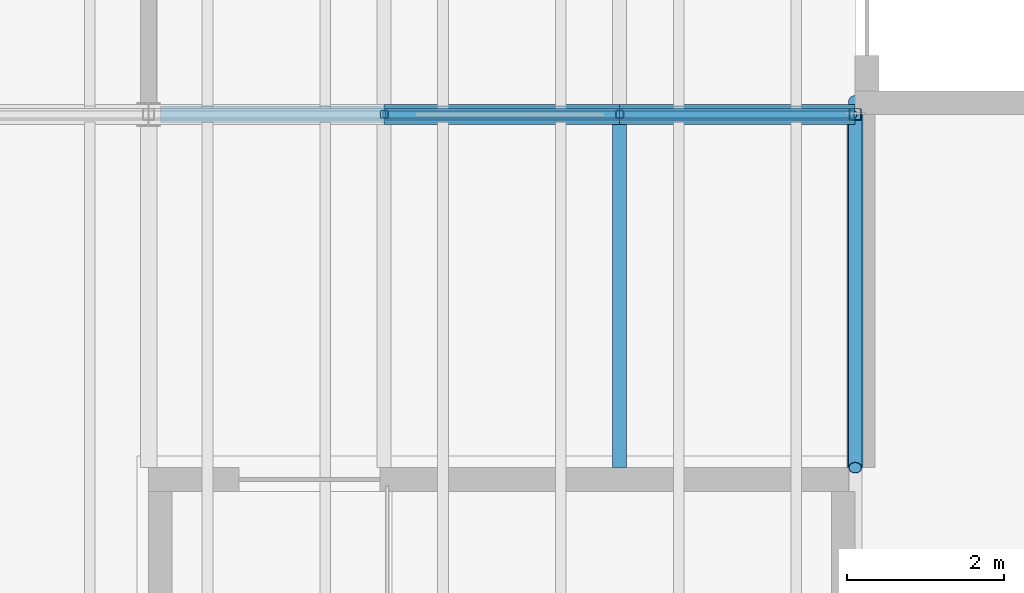
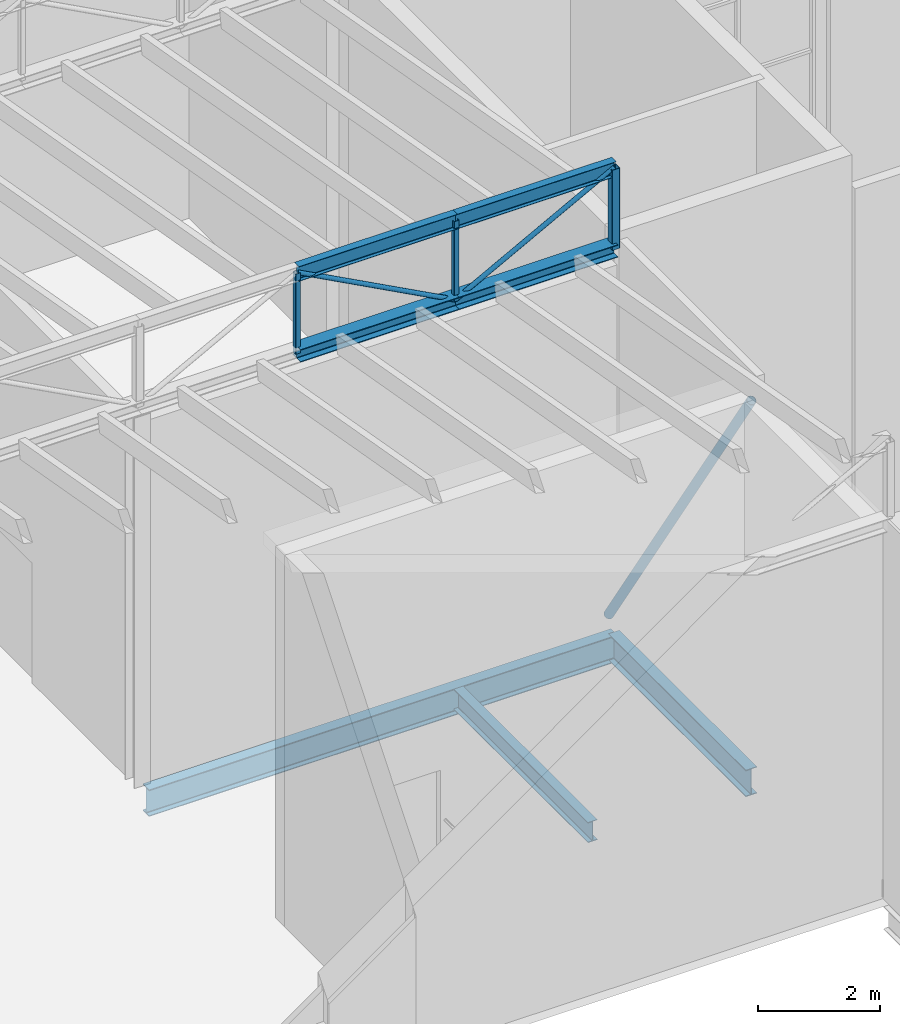
# One storey, part 52 of 90: 10 members, 3 beams.
"""IFC4 building model written with IfcOpenShell, lengths in metres."""

from ifc_helpers import new_model, si_unit, direction, frame, origin, origin_2d, place, context, subcontext, project, spatial, hollow_rectangle, hollow_circle, i_section, extrude, material, material_profile, profile_set, type_object, element, save


model = new_model("IFC4")

# Units and contexts
model_context = context("Model", 3, precision=1e-05, world=origin(), true_north=direction((0.0, 1.0)))
body_context = subcontext(model_context, "Body", "Model", "MODEL_VIEW")
ifc_project = project(units=[si_unit("LENGTHUNIT", "METRE"), si_unit("AREAUNIT", "SQUARE_METRE"), si_unit("VOLUMEUNIT", "CUBIC_METRE"), si_unit("PLANEANGLEUNIT", "RADIAN"), si_unit("MASSUNIT", "GRAM", prefix="KILO")], contexts=[model_context])

# Site, building, storey
site_placement = place(None, origin())
site = spatial("IfcSite", under=ifc_project, at=site_placement, CompositionType="ELEMENT")
building_placement = place(site_placement, origin())
building = spatial("IfcBuilding", under=site, at=building_placement, Name="Halyard Row Museum", CompositionType="ELEMENT")
storey_placement = place(building_placement, frame((0.0, 0.0, 13.39990234375)))
storey = spatial("IfcBuildingStorey", under=building, at=storey_placement, Name="L03", CompositionType="ELEMENT", Elevation=13.39990234375)

# Member
ifc_material_1 = material(Name="Steel Grade C350L0", Category="steel")
ifc_material_profile_1 = material_profile(ifc_material_1, hollow_circle(Radius=0.084228515625, WallThickness=0.007080078125, at=origin_2d()), Name="168.3x7.1CHS")
ifc_profile_set_1 = profile_set([ifc_material_profile_1], Name="Steel Grade C350L0")
member_type_1 = type_object("IfcMemberType", Name="Brace 168.3x7.1CHS", PredefinedType="BRACE", material=ifc_profile_set_1)
member_1_placement = place(storey_placement, frame((72.0, 27.169921875, 0.084228515625), z_axis=(0.0, -0.549136067158, 0.83573295959), x_axis=(1.0, 0.0, 0.0)))
element("IfcMember", 1, at=member_1_placement, inside=storey, type_object=member_type_1, Name="Brace L03 X72 18-27 B", PredefinedType="BRACE", context=body_context, shape_type="SweptSolid", body=[
    extrude(hollow_circle(Radius=0.084228515625, WallThickness=0.007080078125, at=origin_2d()), origin(), (0.0, 0.0, 1.0), 8.504150390625),
])

# Beams
ifc_material_2 = material(Name="Steel Grade 300", Category="steel")
ifc_material_profile_2 = material_profile(ifc_material_2, i_section(OverallWidth=0.208984375, OverallDepth=0.532958984375, WebThickness=0.01025390625, FlangeThickness=0.015625, FilletRadius=0.013916015625, at=origin_2d()), Name="530UB92.4")
ifc_profile_set_2 = profile_set([ifc_material_profile_2], Name="Steel Grade 300")
beam_type_1 = type_object("IfcBeamType", Name="Girder beam 530UB92.4", PredefinedType="BEAM", material=ifc_profile_set_2)
beam_1_placement = place(storey_placement, frame((63.152587890625, 27.0, -0.431396484375), z_axis=(1.0, 0.0, 0.0), x_axis=(0.0, 1.0, 0.0)))
element("IfcBeam", 2, at=beam_1_placement, inside=storey, type_object=beam_type_1, Name="Beam L03-022", PredefinedType="BEAM", context=body_context, shape_type="SweptSolid", body=[
    extrude(i_section(OverallWidth=0.208984375, OverallDepth=0.532958984375, WebThickness=0.01025390625, FlangeThickness=0.015625, FilletRadius=0.013916015625, at=origin_2d()), origin(), (0.0, 0.0, 1.0), 8.847412109375),
])
beam_2_placement = place(storey_placement, frame((72.0, 22.5, -0.431396484375), z_axis=(0.0, 1.0, 0.0), x_axis=(-1.0, 0.0, 0.0)))
element("IfcBeam", 3, at=beam_2_placement, inside=storey, type_object=beam_type_1, Name="Beam L03-053", PredefinedType="BEAM", context=body_context, shape_type="SweptSolid", body=[
    extrude(i_section(OverallWidth=0.208984375, OverallDepth=0.532958984375, WebThickness=0.01025390625, FlangeThickness=0.015625, FilletRadius=0.013916015625, at=origin_2d()), origin(), (0.0, 0.0, 1.0), 4.5),
])
ifc_material_3 = material(Name="Steel Grade 300", Category="steel")
ifc_material_profile_3 = material_profile(ifc_material_3, i_section(OverallWidth=0.177978515625, OverallDepth=0.406494140625, WebThickness=0.0078125, FlangeThickness=0.0126953125, FilletRadius=0.011474609375, at=origin_2d()), Name="410UB59.7")
ifc_profile_set_3 = profile_set([ifc_material_profile_3], Name="Steel Grade 300")
beam_type_2 = type_object("IfcBeamType", Name="Secondary beam 410UB59.7", PredefinedType="BEAM", material=ifc_profile_set_3)
beam_3_placement = place(storey_placement, frame((69.0, 22.5, -0.3681640625), z_axis=(0.0, 1.0, 0.0), x_axis=(-1.0, 0.0, 0.0)))
element("IfcBeam", 4, at=beam_3_placement, inside=storey, type_object=beam_type_2, Name="Beam L03-098", PredefinedType="BEAM", context=body_context, shape_type="SweptSolid", body=[
    extrude(i_section(OverallWidth=0.177978515625, OverallDepth=0.406494140625, WebThickness=0.0078125, FlangeThickness=0.0126953125, FilletRadius=0.011474609375, at=origin_2d()), origin(), (0.0, 0.0, 1.0), 4.3955078125),
])

# Members
ifc_material_4 = material(Name="Steel Grade 300", Category="steel")
ifc_material_profile_4 = material_profile(ifc_material_4, i_section(OverallWidth=0.25390625, OverallDepth=0.25390625, WebThickness=0.008544921875, FlangeThickness=0.01416015625, FilletRadius=0.013916015625, at=origin_2d()), Name="250UC72.9")
ifc_profile_set_4 = profile_set([ifc_material_profile_4], Name="Steel Grade 300")
member_type_2 = type_object("IfcMemberType", Name="Valley truss bottom chord 250UC72.9", PredefinedType="CHORD", material=ifc_profile_set_4)
for number, where, z_axis, x_axis, name in (
    (5, (66.0, 27.0, 7.527099609375), (1.0, 0.0, 0.0), (0.0, 1.0, 0.0), "V1-VT2 bottom chord 5.2"),
    (6, (69.0, 27.0, 7.527099609375), (1.0, 0.0, 0.0), (0.0, 1.0, 0.0), "V1-VT2 bottom chord 5.3"),
):
    element("IfcMember", number, at=place(storey_placement, frame(where, z_axis=z_axis, x_axis=x_axis)), inside=storey, type_object=member_type_2, Name=name, PredefinedType="CHORD", context=body_context, shape_type="SweptSolid", body=[
        extrude(i_section(OverallWidth=0.25390625, OverallDepth=0.25390625, WebThickness=0.008544921875, FlangeThickness=0.01416015625, FilletRadius=0.013916015625, at=origin_2d()), origin(), (0.0, 0.0, 1.0), 3.0),
    ])
ifc_material_5 = material(Name="Steel Grade C250L0", Category="steel")
ifc_material_profile_5 = material_profile(ifc_material_5, hollow_circle(Radius=0.04443359375, WallThickness=0.0048828125, at=origin_2d()), Name="88.9x5.0CHS")
ifc_profile_set_5 = profile_set([ifc_material_profile_5], Name="Steel Grade C250L0")
member_type_3 = type_object("IfcMemberType", Name="Valley truss diagonal 88.9x5.0CHS", PredefinedType="BRACE", material=ifc_profile_set_5)
for number, where, z_axis, x_axis, name in (
    (7, (66.0, 27.0, 9.131103515625), (0.881863759518, 0.0, -0.471504305016), (0.0, 1.0, 0.0), "V1-VT2 diagonal 5.2"),
    (8, (69.0, 27.0, 7.527099609375), (0.881863759518, 0.0, 0.471504305016), (0.0, 1.0, 0.0), "V1-VT2 diagonal 5.3"),
):
    element("IfcMember", number, at=place(storey_placement, frame(where, z_axis=z_axis, x_axis=x_axis)), inside=storey, type_object=member_type_3, Name=name, PredefinedType="BRACE", context=body_context, shape_type="SweptSolid", body=[
        extrude(hollow_circle(Radius=0.04443359375, WallThickness=0.0048828125, at=origin_2d()), origin(), (0.0, 0.0, 1.0), 3.40185546875),
    ])
ifc_material_6 = material(Name="Steel Grade C350L0", Category="steel")
ifc_material_profile_6 = material_profile(ifc_material_6, hollow_rectangle(XDim=0.10009765625, YDim=0.10009765625, WallThickness=0.006103515625, InnerFilletRadius=0.009033203125, OuterFilletRadius=0.014892578125, at=origin_2d()), Name="100x100x6.0SHS")
ifc_profile_set_6 = profile_set([ifc_material_profile_6], Name="Steel Grade C350L0")
member_type_4 = type_object("IfcMemberType", Name="Valley truss post 100x100x6.0SHS", PredefinedType="POST", material=ifc_profile_set_6)
for number, where, z_axis, x_axis, name in (
    (9, (66.0, 27.0, 7.527099609375), (0.0, 0.0, 1.0), (1.0, 0.0, 0.0), "V1-VT2 post 5.1"),
    (10, (69.0, 27.0, 7.527099609375), (0.0, 0.0, 1.0), (1.0, 0.0, 0.0), "V1-VT2 post 5.2"),
):
    element("IfcMember", number, at=place(storey_placement, frame(where, z_axis=z_axis, x_axis=x_axis)), inside=storey, type_object=member_type_4, Name=name, PredefinedType="POST", context=body_context, shape_type="SweptSolid", body=[
        extrude(hollow_rectangle(XDim=0.10009765625, YDim=0.10009765625, WallThickness=0.006103515625, InnerFilletRadius=0.009033203125, OuterFilletRadius=0.014892578125, at=origin_2d()), origin(), (0.0, 0.0, 1.0), 1.60400390625),
    ])
ifc_material_7 = material(Name="Steel Grade C350L0", Category="steel")
ifc_material_profile_7 = material_profile(ifc_material_7, hollow_rectangle(XDim=0.14990234375, YDim=0.14990234375, WallThickness=0.006103515625, InnerFilletRadius=0.009033203125, OuterFilletRadius=0.014892578125, at=origin_2d()), Name="150x150x6.0SHS")
ifc_profile_set_7 = profile_set([ifc_material_profile_7], Name="Steel Grade C350L0")
member_type_5 = type_object("IfcMemberType", Name="Valley truss post 150x150x6.0SHS", PredefinedType="POST", material=ifc_profile_set_7)
member_2_placement = place(storey_placement, frame((72.0, 27.0, 7.527099609375), z_axis=(0.0, 0.0, 1.0), x_axis=(1.0, 0.0, 0.0)))
element("IfcMember", 11, at=member_2_placement, inside=storey, type_object=member_type_5, Name="V1-VT2 post 5.3", PredefinedType="POST", context=body_context, shape_type="SweptSolid", body=[
    extrude(hollow_rectangle(XDim=0.14990234375, YDim=0.14990234375, WallThickness=0.006103515625, InnerFilletRadius=0.009033203125, OuterFilletRadius=0.014892578125, at=origin_2d()), origin(), (0.0, 0.0, 1.0), 1.60400390625),
])
ifc_material_8 = material(Name="Steel Grade 300", Category="steel")
ifc_material_profile_8 = material_profile(ifc_material_8, i_section(OverallWidth=0.14892578125, OverallDepth=0.298095703125, WebThickness=0.005615234375, FlangeThickness=0.008056640625, FilletRadius=0.012939453125, at=origin_2d()), Name="310UB32.0")
ifc_profile_set_8 = profile_set([ifc_material_profile_8], Name="Steel Grade 300")
member_type_6 = type_object("IfcMemberType", Name="Valley truss top chord 310UB32.0", PredefinedType="CHORD", material=ifc_profile_set_8)
for number, where, z_axis, x_axis, name in (
    (12, (66.0, 27.0, 9.131103515625), (1.0, 0.0, 0.0), (0.0, 1.0, 0.0), "V1-VT2 top chord 5.2"),
    (13, (69.0, 27.0, 9.131103515625), (1.0, 0.0, 0.0), (0.0, 1.0, 0.0), "V1-VT2 top chord 5.3"),
):
    element("IfcMember", number, at=place(storey_placement, frame(where, z_axis=z_axis, x_axis=x_axis)), inside=storey, type_object=member_type_6, Name=name, PredefinedType="CHORD", context=body_context, shape_type="SweptSolid", body=[
        extrude(i_section(OverallWidth=0.14892578125, OverallDepth=0.298095703125, WebThickness=0.005615234375, FlangeThickness=0.008056640625, FilletRadius=0.012939453125, at=origin_2d()), origin(), (0.0, 0.0, 1.0), 3.0),
    ])

save(model, "model.ifc")
